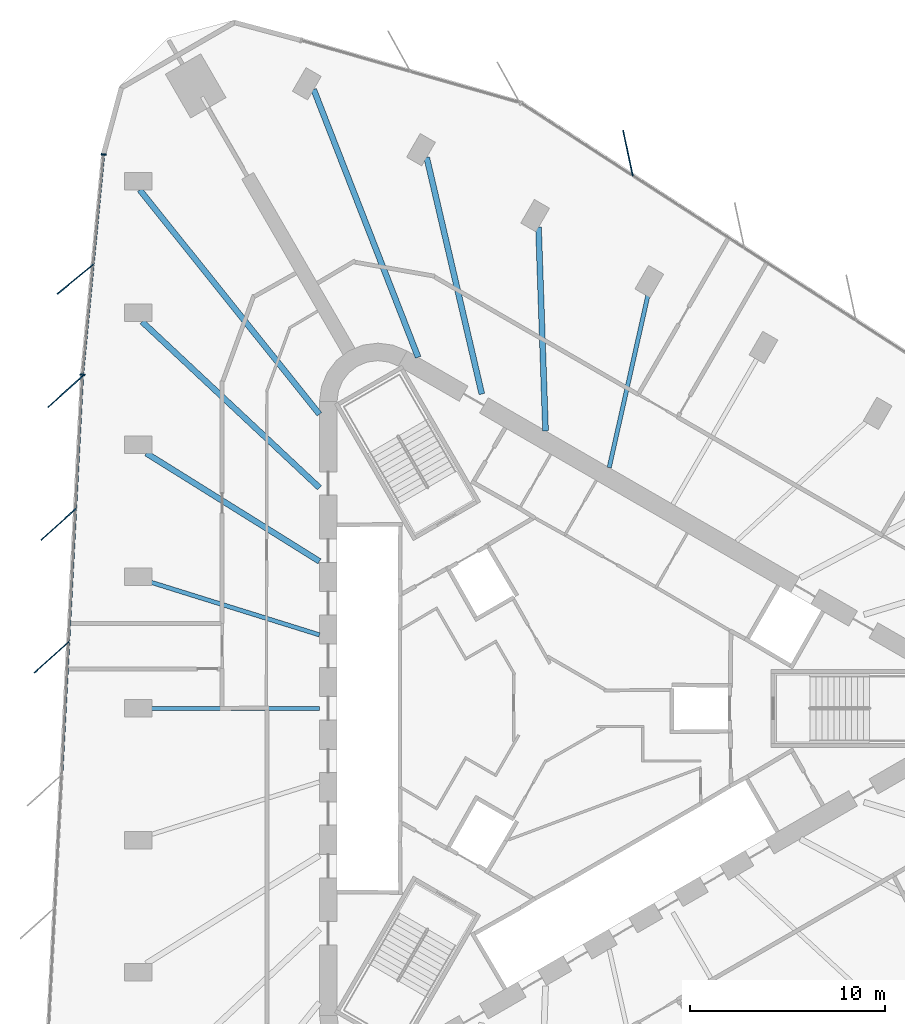
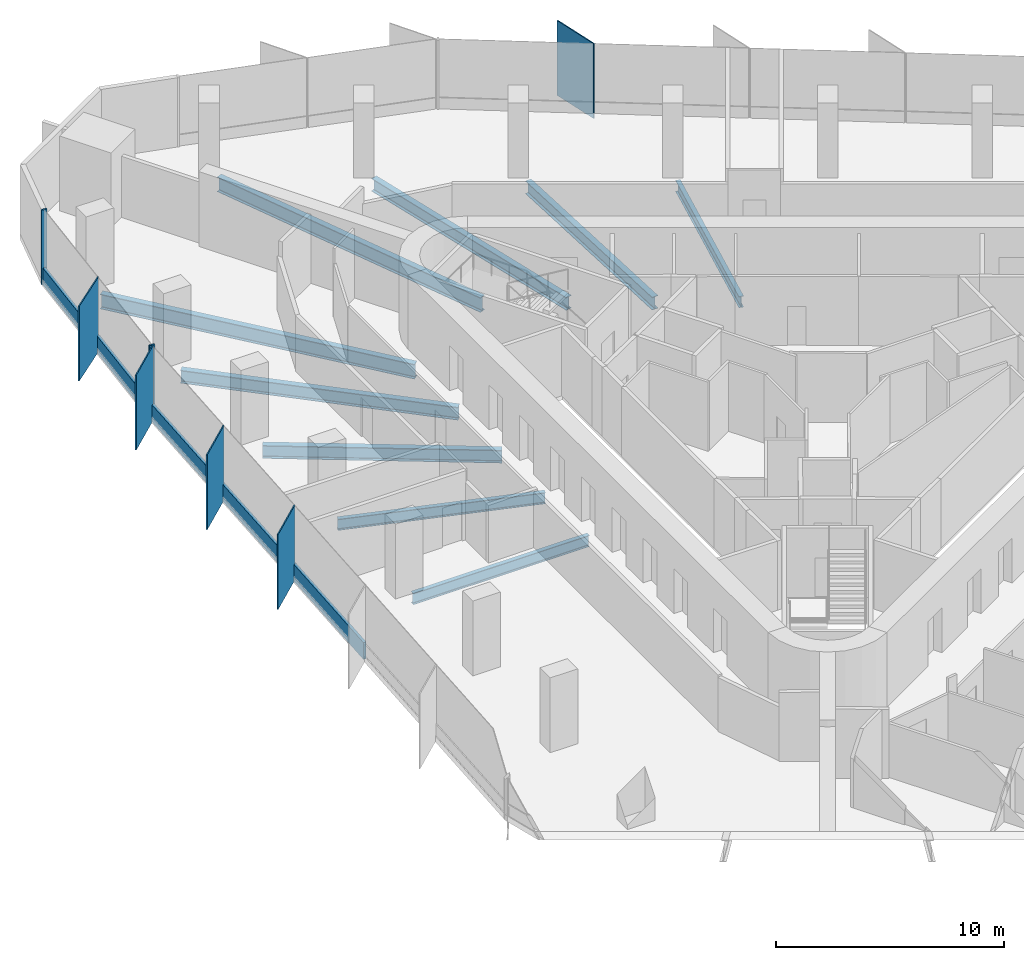
# One storey, part 4 of 14: 12 members, 9 beams, 3 elements without a shape of their own.
"""IFC4 building model written with IfcOpenShell, lengths in metres."""

from ifc_helpers import new_model, si_unit, direction, frame, origin, origin_2d, place, context, subcontext, project, spatial, rectangle, i_section, extrude, material, material_profile, profile_set, type_object, element, aggregate, save


model = new_model("IFC4")

# Units and contexts
model_context = context("Model", 3, precision=1e-05, world=origin(), true_north=direction((0.0, 1.0)))
body_context = subcontext(model_context, "Body", "Model", "MODEL_VIEW")
ifc_project = project(units=[si_unit("LENGTHUNIT", "METRE"), si_unit("AREAUNIT", "SQUARE_METRE"), si_unit("VOLUMEUNIT", "CUBIC_METRE"), si_unit("PLANEANGLEUNIT", "RADIAN"), si_unit("MASSUNIT", "GRAM", prefix="KILO")], contexts=[model_context])

# Site, building, storey
site_placement = place(None, origin())
site = spatial("IfcSite", under=ifc_project, at=site_placement, CompositionType="ELEMENT")
building_placement = place(site_placement, origin())
building = spatial("IfcBuilding", under=site, at=building_placement, Name="Tanit Gate Tower", CompositionType="ELEMENT")
storey_placement = place(building_placement, frame((0.0, 0.0, 253.199951171875)))
storey = spatial("IfcBuildingStorey", under=building, at=storey_placement, Name="L57", CompositionType="ELEMENT", Elevation=253.199951171875)

# Curtain wall, member
ifc_material_1 = material(Name="Aluminium bronze anodised and glass", Category="aluminium")
curtain_wall_type = type_object("IfcCurtainWallType", Name="Curtain wall typical mid", PredefinedType="NOTDEFINED", material=ifc_material_1)
curtain_wall_1_placement = place(storey_placement, origin())
curtain_wall_1 = element("IfcCurtainWall", 1, at=curtain_wall_1_placement, inside=storey, type_object=curtain_wall_type, Name="Curtain wall L57 NE2", PredefinedType="NOTDEFINED")
ifc_material_2 = material(Name="Aluminium bronze anodised", Category="aluminium")
ifc_material_profile_1 = material_profile(ifc_material_2, rectangle(XDim=2.39990234375, YDim=0.055908203125, at=origin_2d()), Name="56x2400 bronze fin mullion")
ifc_profile_set_1 = profile_set([ifc_material_profile_1], Name="Aluminium bronze anodised")
member_type_1 = type_object("IfcMemberType", Name="FIN MULLION 56x2400 bronze", PredefinedType="MULLION", material=ifc_profile_set_1)
member_1_placement = place(storey_placement, frame((3.74072265625, 28.524658203125, -0.300048828125), z_axis=(0.0, 0.0, 1.0), x_axis=(0.208373118697, -0.978049407445, 0.0)))
member_1 = element("IfcMember", 2, at=member_1_placement, type_object=member_type_1, Name="Fin mullion L57 NE2.5", PredefinedType="MULLION", context=body_context, shape_type="SweptSolid", body=[
    extrude(rectangle(XDim=2.39990234375, YDim=0.055908203125, at=origin_2d()), origin(), (0.0, 0.0, 1.0), 4.0),
])
aggregate(curtain_wall_1, [member_1])

curtain_wall_2_placement = place(storey_placement, origin())
curtain_wall_2 = element("IfcCurtainWall", 3, at=curtain_wall_2_placement, inside=storey, type_object=curtain_wall_type, Name="Curtain wall L57 W1", PredefinedType="NOTDEFINED")
member_2_placement = place(storey_placement, frame((-24.642578125, 22.0458984375, -0.300048828125), z_axis=(0.0, 0.0, 1.0), x_axis=(0.771200304617, 0.636592562129, 0.0)))
member_2 = element("IfcMember", 4, at=member_2_placement, type_object=member_type_1, Name="Fin mullion L57 W1.2", PredefinedType="MULLION", context=body_context, shape_type="SweptSolid", body=[
    extrude(rectangle(XDim=2.39990234375, YDim=0.055908203125, at=origin_2d()), origin(), (0.0, 0.0, 1.0), 4.0),
])

# Curtain wall, members
curtain_wall_3_placement = place(storey_placement, origin())
curtain_wall_3 = element("IfcCurtainWall", 5, at=curtain_wall_3_placement, inside=storey, type_object=curtain_wall_type, Name="Curtain wall L57 W2", PredefinedType="NOTDEFINED")
member_3_placement = place(storey_placement, frame((-25.156005859375, 16.2705078125, -0.300048828125), z_axis=(0.0, 0.0, 1.0), x_axis=(0.742829073656, 0.66948111798, 0.0)))
member_3 = element("IfcMember", 6, at=member_3_placement, type_object=member_type_1, Name="Fin mullion L57 W2.1", PredefinedType="MULLION", context=body_context, shape_type="SweptSolid", body=[
    extrude(rectangle(XDim=2.39990234375, YDim=0.055908203125, at=origin_2d()), origin(), (0.0, 0.0, 1.0), 4.0),
])
member_4_placement = place(storey_placement, frame((-25.51025390625, 9.447265625, -0.300048828125), z_axis=(0.0, 0.0, 1.0), x_axis=(0.742829073656, 0.66948111798, 0.0)))
member_4 = element("IfcMember", 7, at=member_4_placement, type_object=member_type_1, Name="Fin mullion L57 W2.2", PredefinedType="MULLION", context=body_context, shape_type="SweptSolid", body=[
    extrude(rectangle(XDim=2.39990234375, YDim=0.055908203125, at=origin_2d()), origin(), (0.0, 0.0, 1.0), 4.0),
])
member_5_placement = place(storey_placement, frame((-25.86474609375, 2.6240234375, -0.300048828125), z_axis=(0.0, 0.0, 1.0), x_axis=(0.742829073656, 0.66948111798, 0.0)))
member_5 = element("IfcMember", 8, at=member_5_placement, type_object=member_type_1, Name="Fin mullion L57 W2.3", PredefinedType="MULLION", context=body_context, shape_type="SweptSolid", body=[
    extrude(rectangle(XDim=2.39990234375, YDim=0.055908203125, at=origin_2d()), origin(), (0.0, 0.0, 1.0), 4.0),
])

# Member
ifc_material_3 = material(Name="Aluminium bronze anodised", Category="aluminium")
ifc_material_profile_2 = material_profile(ifc_material_3, rectangle(XDim=0.260009765625, YDim=0.080078125, at=origin_2d()), Name="80x260 bronze mullion")
ifc_profile_set_2 = profile_set([ifc_material_profile_2], Name="Aluminium bronze anodised")
member_type_2 = type_object("IfcMemberType", Name="Mullion 80x260 typical mid", PredefinedType="MULLION", material=ifc_profile_set_2)
member_6_placement = place(storey_placement, frame((-23.192626953125, 28.452880859375, -0.300048828125), z_axis=(0.0, 0.0, 1.0), x_axis=(0.995459882582, -0.095182047514, 0.0)))
member_6 = element("IfcMember", 9, at=member_6_placement, type_object=member_type_2, Name="Mullion L57 W1.1", PredefinedType="MULLION", context=body_context, shape_type="SweptSolid", body=[
    extrude(rectangle(XDim=0.260009765625, YDim=0.080078125, at=origin_2d()), origin(), (0.0, 0.0, 1.0), 4.0),
])

member_7_placement = place(storey_placement, frame((-24.2744140625, 17.139404296875, -0.300048828125), z_axis=(0.0, 0.0, 1.0), x_axis=(0.995459882582, -0.095182047514, 0.0)))
member_7 = element("IfcMember", 10, at=member_7_placement, type_object=member_type_2, Name="Mullion L57 W1.3", PredefinedType="MULLION", context=body_context, shape_type="SweptSolid", body=[
    extrude(rectangle(XDim=0.260009765625, YDim=0.080078125, at=origin_2d()), origin(), (0.0, 0.0, 1.0), 4.0),
])

# Beams
ifc_material_4 = material(Name="Steel S355", Category="steel")
ifc_material_profile_3 = material_profile(ifc_material_4, i_section(OverallWidth=0.300048828125, OverallDepth=0.68994140625, WebThickness=0.014404296875, FlangeThickness=0.027099609375, FilletRadius=0.027099609375, at=origin_2d()), Name="HEA 700")
ifc_profile_set_3 = profile_set([ifc_material_profile_3], Name="Steel S355")
beam_type_1 = type_object("IfcBeamType", Name="RADIAL GIRDER HEA 700 S355", PredefinedType="BEAM", material=ifc_profile_set_3)
beam_1_placement = place(storey_placement, frame((-0.8525390625, 24.733154296875, -0.64501953125), z_axis=(0.034449440127, -0.999406441882, 0.0), x_axis=(0.999406441882, 0.034449440127, 0.0)))
element("IfcBeam", 11, at=beam_1_placement, inside=storey, type_object=beam_type_1, Name="RADIAL GIRDER", PredefinedType="BEAM", context=body_context, shape_type="SweptSolid", body=[
    extrude(i_section(OverallWidth=0.300048828125, OverallDepth=0.68994140625, WebThickness=0.014404296875, FlangeThickness=0.027099609375, FilletRadius=0.027099609375, at=origin_2d()), origin(), (0.0, 0.0, 1.0), 10.4814453125),
])
beam_2_placement = place(storey_placement, frame((-6.595458984375, 28.30224609375, -0.64501953125), z_axis=(0.226957535876, -0.973904654938, 0.0), x_axis=(0.973904654938, 0.226957535876, 0.0)))
element("IfcBeam", 12, at=beam_2_placement, inside=storey, type_object=beam_type_1, Name="RADIAL GIRDER", PredefinedType="BEAM", context=body_context, shape_type="SweptSolid", body=[
    extrude(i_section(OverallWidth=0.300048828125, OverallDepth=0.68994140625, WebThickness=0.014404296875, FlangeThickness=0.027099609375, FilletRadius=0.027099609375, at=origin_2d()), origin(), (0.0, 0.0, 1.0), 12.4814453125),
])
beam_3_placement = place(storey_placement, frame((-21.212646484375, 19.86279296875, -0.64501953125), z_axis=(0.729943944241, -0.683507014058, 0.0), x_axis=(0.683507014058, 0.729943944241, 0.0)))
element("IfcBeam", 13, at=beam_3_placement, inside=storey, type_object=beam_type_1, Name="RADIAL GIRDER", PredefinedType="BEAM", context=body_context, shape_type="SweptSolid", body=[
    extrude(i_section(OverallWidth=0.300048828125, OverallDepth=0.68994140625, WebThickness=0.014404296875, FlangeThickness=0.027099609375, FilletRadius=0.027099609375, at=origin_2d()), origin(), (0.0, 0.0, 1.0), 12.481201171875),
])
beam_4_placement = place(storey_placement, frame((-20.993408203125, 13.10498046875, -0.64501953125), z_axis=(0.848289986152, -0.52953196258, 0.0), x_axis=(0.52953196258, 0.848289986152, 0.0)))
element("IfcBeam", 14, at=beam_4_placement, inside=storey, type_object=beam_type_1, Name="RADIAL GIRDER", PredefinedType="BEAM", context=body_context, shape_type="SweptSolid", body=[
    extrude(i_section(OverallWidth=0.300048828125, OverallDepth=0.68994140625, WebThickness=0.014404296875, FlangeThickness=0.027099609375, FilletRadius=0.027099609375, at=origin_2d()), origin(), (0.0, 0.0, 1.0), 10.4814453125),
])
ifc_material_5 = material(Name="Steel S355", Category="steel")
ifc_material_profile_4 = material_profile(ifc_material_5, i_section(OverallWidth=0.300048828125, OverallDepth=0.7900390625, WebThickness=0.014892578125, FlangeThickness=0.028076171875, FilletRadius=0.030029296875, at=origin_2d()), Name="HEA 800")
ifc_profile_set_4 = profile_set([ifc_material_profile_4], Name="Steel S355")
beam_type_2 = type_object("IfcBeamType", Name="RADIAL GIRDER HEA 800 S355", PredefinedType="BEAM", material=ifc_profile_set_4)
for number, where, z_axis, x_axis, name in (
    (15, (-12.399169921875, 31.791748046875, -0.695068359375), (0.363354891864, -0.931650805054, 0.0), (0.931650805054, 0.363354891864, 0.0), "RADIAL GIRDER"),
    (16, (-21.3330078125, 26.6337890625, -0.695068359375), (0.625158701972, -0.780497660053, 0.0), (0.780497660053, 0.625158701972, 0.0), "RADIAL GIRDER"),
):
    element("IfcBeam", number, at=place(storey_placement, frame(where, z_axis=z_axis, x_axis=x_axis)), inside=storey, type_object=beam_type_2, Name=name, PredefinedType="BEAM", context=body_context, shape_type="SweptSolid", body=[
        extrude(i_section(OverallWidth=0.300048828125, OverallDepth=0.7900390625, WebThickness=0.014892578125, FlangeThickness=0.028076171875, FilletRadius=0.030029296875, at=origin_2d()), origin(), (0.0, 0.0, 1.0), 14.765869140625),
    ])
ifc_material_6 = material(Name="Steel S355", Category="steel")
ifc_material_profile_5 = material_profile(ifc_material_6, i_section(OverallWidth=0.219970703125, OverallDepth=0.60009765625, WebThickness=0.011962890625, FlangeThickness=0.01904296875, FilletRadius=0.02392578125, at=origin_2d()), Name="IPE 600")
ifc_profile_set_5 = profile_set([ifc_material_profile_5], Name="Steel S355")
beam_type_3 = type_object("IfcBeamType", Name="RADIAL GIRDER IPE 600 S355", PredefinedType="BEAM", material=ifc_profile_set_5)
beam_5_placement = place(storey_placement, frame((4.822021484375, 21.456787109375, -0.599853515625), z_axis=(-0.219263945234, -0.975665579141, 0.0), x_axis=(0.975665579141, -0.219263945234, 0.0)))
element("IfcBeam", 17, at=beam_5_placement, inside=storey, type_object=beam_type_3, Name="RADIAL GIRDER", PredefinedType="BEAM", context=body_context, shape_type="SweptSolid", body=[
    extrude(i_section(OverallWidth=0.219970703125, OverallDepth=0.60009765625, WebThickness=0.011962890625, FlangeThickness=0.01904296875, FilletRadius=0.02392578125, at=origin_2d()), origin(), (0.0, 0.0, 1.0), 9.31396484375),
])
beam_6_placement = place(storey_placement, frame((-20.993408203125, 6.552490234375, -0.599853515625), z_axis=(0.954583925113, -0.297942158674, 0.0), x_axis=(0.297942158674, 0.954583925113, 0.0)))
element("IfcBeam", 18, at=beam_6_placement, inside=storey, type_object=beam_type_3, Name="RADIAL GIRDER", PredefinedType="BEAM", context=body_context, shape_type="SweptSolid", body=[
    extrude(i_section(OverallWidth=0.219970703125, OverallDepth=0.60009765625, WebThickness=0.011962890625, FlangeThickness=0.01904296875, FilletRadius=0.02392578125, at=origin_2d()), origin(), (0.0, 0.0, 1.0), 9.314453125),
])
beam_7_placement = place(storey_placement, frame((-20.993408203125, 0.0, -0.599853515625), z_axis=(1.0, 0.0, 0.0), x_axis=(0.0, 1.0, 0.0)))
element("IfcBeam", 19, at=beam_7_placement, inside=storey, type_object=beam_type_3, Name="RADIAL GIRDER", PredefinedType="BEAM", context=body_context, shape_type="SweptSolid", body=[
    extrude(i_section(OverallWidth=0.219970703125, OverallDepth=0.60009765625, WebThickness=0.011962890625, FlangeThickness=0.01904296875, FilletRadius=0.02392578125, at=origin_2d()), origin(), (0.0, 0.0, 1.0), 8.891357421875),
])

# Member
ifc_material_7 = material(Name="Aluminium bronze anodised", Category="aluminium")
ifc_material_profile_6 = material_profile(ifc_material_7, rectangle(XDim=0.139892578125, YDim=0.89990234375, at=origin_2d()), Name="140x900 bronze transom")
ifc_profile_set_6 = profile_set([ifc_material_profile_6], Name="Aluminium bronze anodised")
member_type_3 = type_object("IfcMemberType", Name="Transom 140x900 typical mid", PredefinedType="USERDEFINED", material=ifc_profile_set_6)
member_8_placement = place(storey_placement, frame((-23.196533203125, 28.4130859375, 0.150146484375), z_axis=(-0.095175144466, -0.995460542601, 0.0), x_axis=(0.995460542601, -0.095175144466, 0.0)))
member_8 = element("IfcMember", 20, at=member_8_placement, type_object=member_type_3, Name="Transom L57 W1.1", ObjectType="TRANSOM", PredefinedType="USERDEFINED", context=body_context, shape_type="SweptSolid", body=[
    extrude(rectangle(XDim=0.139892578125, YDim=0.89990234375, at=origin_2d()), origin(), (0.0, 0.0, 1.0), 5.602294921875),
])

member_9_placement = place(storey_placement, frame((-23.7373046875, 22.75634765625, 0.150146484375), z_axis=(-0.095171015895, -0.995460937322, 0.0), x_axis=(0.995460937322, -0.095171015895, 0.0)))
member_9 = element("IfcMember", 21, at=member_9_placement, type_object=member_type_3, Name="Transom L57 W1.2", ObjectType="TRANSOM", PredefinedType="USERDEFINED", context=body_context, shape_type="SweptSolid", body=[
    extrude(rectangle(XDim=0.139892578125, YDim=0.89990234375, at=origin_2d()), origin(), (0.0, 0.0, 1.0), 5.6025390625),
])

aggregate(curtain_wall_2, [member_6, member_2, member_7, member_8, member_9])

member_10_placement = place(storey_placement, frame((-24.282470703125, 17.019775390625, 0.150146484375), z_axis=(-0.051847192816, -0.998655029826, 0.0), x_axis=(0.998655029826, -0.051847192816, 0.0)))
member_10 = element("IfcMember", 22, at=member_10_placement, type_object=member_type_3, Name="Transom L57 W2.1", ObjectType="TRANSOM", PredefinedType="USERDEFINED", context=body_context, shape_type="SweptSolid", body=[
    extrude(rectangle(XDim=0.139892578125, YDim=0.89990234375, at=origin_2d()), origin(), (0.0, 0.0, 1.0), 6.75244140625),
])

member_11_placement = place(storey_placement, frame((-24.63671875, 10.196533203125, 0.150146484375), z_axis=(-0.051883251167, -0.998653157131, 0.0), x_axis=(0.998653157131, -0.051883251167, 0.0)))
member_11 = element("IfcMember", 23, at=member_11_placement, type_object=member_type_3, Name="Transom L57 W2.2", ObjectType="TRANSOM", PredefinedType="USERDEFINED", context=body_context, shape_type="SweptSolid", body=[
    extrude(rectangle(XDim=0.139892578125, YDim=0.89990234375, at=origin_2d()), origin(), (0.0, 0.0, 1.0), 6.75244140625),
])

member_12_placement = place(storey_placement, frame((-24.9912109375, 3.373291015625, 0.150146484375), z_axis=(-0.051847192816, -0.998655029826, 0.0), x_axis=(0.998655029826, -0.051847192816, 0.0)))
member_12 = element("IfcMember", 24, at=member_12_placement, type_object=member_type_3, Name="Transom L57 W2.3", ObjectType="TRANSOM", PredefinedType="USERDEFINED", context=body_context, shape_type="SweptSolid", body=[
    extrude(rectangle(XDim=0.139892578125, YDim=0.89990234375, at=origin_2d()), origin(), (0.0, 0.0, 1.0), 6.75244140625),
])

aggregate(curtain_wall_3, [member_3, member_4, member_5, member_10, member_11, member_12])

save(model, "model.ifc")
